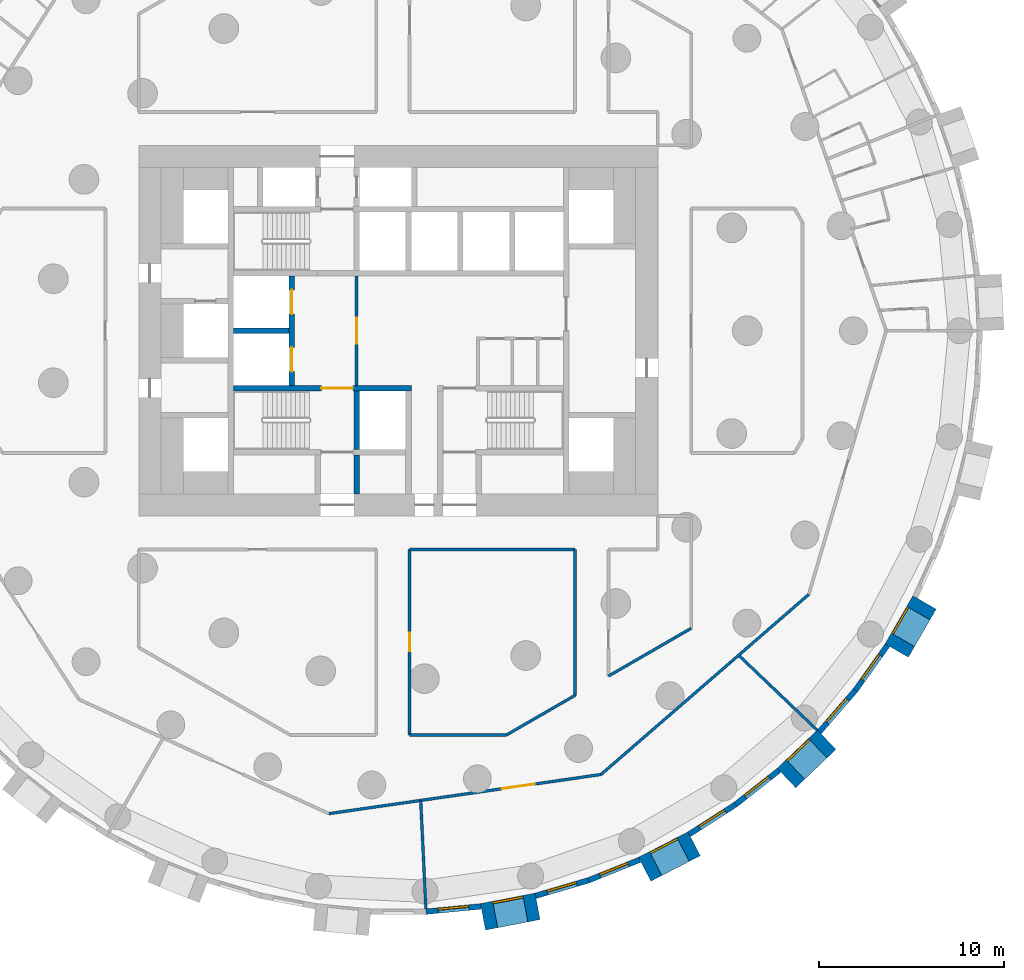
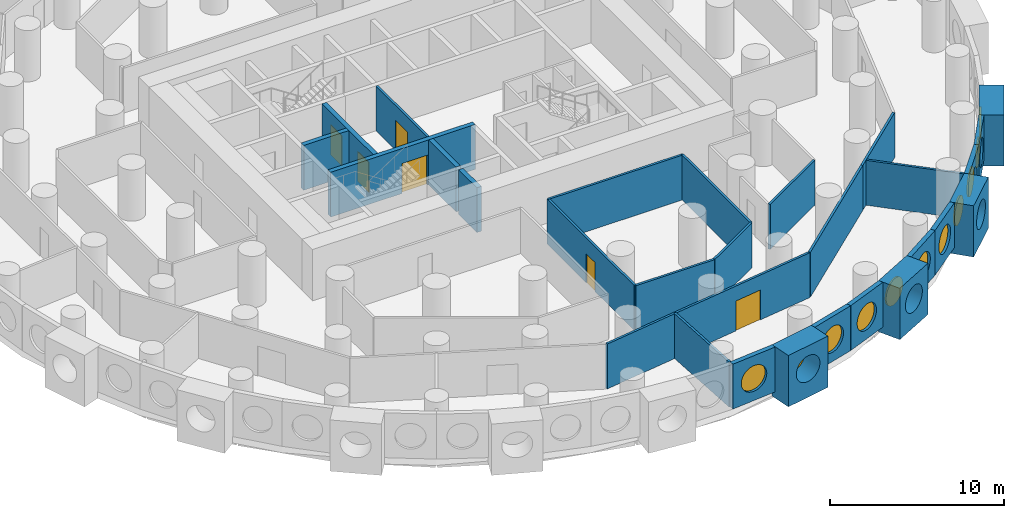
# One storey, part 4 of 12: 28 walls, 11 windows, 6 doors, 17 openings.
"""IFC4 building model written with IfcOpenShell, lengths in metres."""

import ifcopenshell
import ifcopenshell.guid

model = None  # the IFC model being written
_history = None  # IfcOwnerHistory: only IFC2X3 demands one
_inside = {}  # id of a spatial element -> (the spatial element, [elements in it])
_under = {}  # id of a project, library or spatial element -> (it, [spatial elements below it])
_declared = {}  # id of a project -> (the project, [libraries it declares])
_typed = {}  # id of a type object -> (the type object, [elements of that type])
_made_of = {}  # id of a material, layer set ... -> (it, [elements and type objects made of it])


def new_model(schema):
    """Start an empty IFC model of exactly this schema.

    Asked for "IFC4X3", IfcOpenShell would pick the latest addendum, in which some entities
    have other attributes; the version numbers below select the first issue.
    IFC2X3 requires an IfcOwnerHistory on every rooted entity: one is made here for all.
    """
    global model, _history
    if schema == "IFC4X3":
        model = ifcopenshell.file(schema_version=(4, 3, 0, 0))
    else:
        model = ifcopenshell.file(schema=schema)
    _inside.clear()
    _under.clear()
    _declared.clear()
    _typed.clear()
    _made_of.clear()
    _history = None
    if model.schema == "IFC2X3":
        org = make("IfcOrganization", Name="unknown")
        user = make(
            "IfcPersonAndOrganization",
            ThePerson=make("IfcPerson", FamilyName="unknown"),
            TheOrganization=org,
        )
        app = make(
            "IfcApplication",
            ApplicationDeveloper=org,
            Version="unknown",
            ApplicationFullName="unknown",
            ApplicationIdentifier="unknown",
        )
        _history = make(
            "IfcOwnerHistory",
            OwningUser=user,
            OwningApplication=app,
            ChangeAction="ADDED",
            CreationDate=0,
        )
    return model


def make(cls, **values):
    """One entity of the class cls with the attributes given. An attribute that is None is left unset."""
    return model.create_entity(
        cls, **{name: value for name, value in values.items() if value is not None}
    )


def rooted(cls, **values):
    """An entity with a GlobalId (a new one), such as an element, a storey or a relation."""
    return make(cls, GlobalId=ifcopenshell.guid.new(), OwnerHistory=_history, **values)


def si_unit(unit_type, name, prefix=None):
    """IfcSIUnit, for example si_unit("LENGTHUNIT", "METRE", prefix="MILLI")."""
    return make("IfcSIUnit", UnitType=unit_type, Prefix=prefix, Name=name)


def assignment(units):
    """IfcUnitAssignment: the units of a project."""
    return None if units is None else make("IfcUnitAssignment", Units=units)


def point(xyz):
    """IfcCartesianPoint."""
    return None if xyz is None else make("IfcCartesianPoint", Coordinates=xyz)


def direction(xyz):
    """IfcDirection."""
    return None if xyz is None else make("IfcDirection", DirectionRatios=xyz)


def frame(location, z_axis=None, x_axis=None):
    """IfcAxis2Placement3D, a coordinate frame: its origin and axes. An axis left out is left unset."""
    return make(
        "IfcAxis2Placement3D",
        Location=point(location),
        Axis=direction(z_axis),
        RefDirection=direction(x_axis),
    )


def frame_2d(location, x_axis=None):
    """IfcAxis2Placement2D, a coordinate frame in the plane: its origin and x axis."""
    return make(
        "IfcAxis2Placement2D", Location=point(location), RefDirection=direction(x_axis)
    )


def origin():
    """The frame at (0, 0, 0) with its axes left unset."""
    return frame((0.0, 0.0, 0.0))


def origin_2d():
    """The frame at (0, 0) in the plane with its x axis left unset."""
    return frame_2d((0.0, 0.0))


def place(relative_to, where):
    """IfcLocalPlacement: puts the frame where relative to a parent placement (None: the world)."""
    return make(
        "IfcLocalPlacement", PlacementRelTo=relative_to, RelativePlacement=where
    )


def context(
    kind, dimensions, precision=None, world=None, true_north=None, identifier=None
):
    """IfcGeometricRepresentationContext, for example the 3D "Model" context."""
    return make(
        "IfcGeometricRepresentationContext",
        ContextIdentifier=identifier,
        ContextType=kind,
        CoordinateSpaceDimension=dimensions,
        Precision=precision,
        WorldCoordinateSystem=world,
        TrueNorth=true_north,
    )


def subcontext(parent, identifier, kind, view, scale=None):
    """IfcGeometricRepresentationSubContext, for example "Body" below "Model"."""
    return make(
        "IfcGeometricRepresentationSubContext",
        ContextIdentifier=identifier,
        ContextType=kind,
        ParentContext=parent,
        TargetScale=scale,
        TargetView=view,
    )


def project(units=None, contexts=None):
    """IfcProject with its units and contexts."""
    return rooted(
        "IfcProject",
        Name="project",
        RepresentationContexts=contexts,
        UnitsInContext=assignment(units),
    )


def spatial(cls, under=None, at=None, **own):
    """A site, building, storey or space (cls), placed at a placement, below another one or the project."""
    s = rooted(cls, ObjectPlacement=at, **own)
    if under is not None:
        _under.setdefault(under.id(), (under, []))[1].append(s)
    return s


def profile(cls, at=None, kind="AREA", **sizes):
    """A parametric profile (cls). Its sizes go by their IFC names, for example OverallWidth=200.0."""
    return make(cls, ProfileType=kind, Position=at, **sizes)


def rectangle(**sizes):
    """IfcRectangleProfileDef."""
    return profile("IfcRectangleProfileDef", **sizes)


def circle(**sizes):
    """IfcCircleProfileDef."""
    return profile("IfcCircleProfileDef", **sizes)


def extrude(swept, where, along, depth):
    """IfcExtrudedAreaSolid: the profile swept, set in the frame where, extruded along a direction by depth."""
    return make(
        "IfcExtrudedAreaSolid",
        SweptArea=swept,
        Position=where,
        ExtrudedDirection=direction(along),
        Depth=depth,
    )


def shape(context_of_items, identifier, shape_type, items):
    """IfcShapeRepresentation: the items that make up one representation, for example the "Body"."""
    return make(
        "IfcShapeRepresentation",
        ContextOfItems=context_of_items,
        RepresentationIdentifier=identifier,
        RepresentationType=shape_type,
        Items=items,
    )


def material(Name=None, Category=None):
    """IfcMaterial."""
    return make("IfcMaterial", Name=Name, Category=Category)


def layer(
    of_material, thickness, ventilated=None, Name=None, Category=None, Priority=None
):
    """IfcMaterialLayer: one layer of a wall or slab, of a material (None: an air gap)."""
    return make(
        "IfcMaterialLayer",
        Material=of_material,
        LayerThickness=thickness,
        IsVentilated=ventilated,
        Name=Name,
        Category=Category,
        Priority=Priority,
    )


def layer_set(layers, Name=None):
    """IfcMaterialLayerSet."""
    return make("IfcMaterialLayerSet", MaterialLayers=layers, LayerSetName=Name)


def made_of(thing, what):
    """Note that an element or type object is made of a material, layer set ...; save() writes the relation."""
    if what is not None:
        _made_of.setdefault(what.id(), (what, []))[1].append(thing)
    return thing


def type_object(cls, material=None, **own):
    """A type object (cls), such as IfcWallType, which elements share."""
    return made_of(rooted(cls, **own), material)


def element(
    cls,
    number,
    at=None,
    inside=None,
    cuts=None,
    type_object=None,
    material=None,
    context=None,
    identifier="Body",
    shape_type=None,
    held_by="IfcProductDefinitionShape",
    body=None,
    shapes=None,
    **own,
):
    """One element of the class cls, such as IfcWall. Its Tag is "e" and its number.

    at: its placement. inside: the storey or other place that contains it. cuts: it is an
    opening in that element (IfcRelVoidsElement). A single representation is given by context,
    identifier, shape_type and body (its items); several are given by shapes. held_by: the class
    of the entity that holds the representations. save() writes the other relations.
    """
    e = rooted(cls, Tag="e%d" % number, ObjectPlacement=at, **own)
    if body is not None:
        shapes = [shape(context, identifier, shape_type, body)]
    if shapes is not None:
        e.Representation = make(held_by, Representations=shapes)
    if inside is not None:
        _inside.setdefault(inside.id(), (inside, []))[1].append(e)
    if cuts is not None:
        rooted(
            "IfcRelVoidsElement", RelatingBuildingElement=cuts, RelatedOpeningElement=e
        )
    if type_object is not None:
        _typed.setdefault(type_object.id(), (type_object, []))[1].append(e)
    return made_of(e, material)


def fill(opening, filler):
    """IfcRelFillsElement: the door or window that sits in an opening."""
    return rooted(
        "IfcRelFillsElement",
        RelatingOpeningElement=opening,
        RelatedBuildingElement=filler,
    )


def aggregate(whole, parts):
    """IfcRelAggregates: a whole, such as a stair, and the parts it consists of."""
    return rooted("IfcRelAggregates", RelatingObject=whole, RelatedObjects=parts)


def save(model, path):
    """Write the relations noted so far, then the file.

    IfcRelAggregates (storeys below a building ...), IfcRelContainedInSpatialStructure (elements
    in a storey), IfcRelDefinesByType, IfcRelAssociatesMaterial and IfcRelDeclares: one each for
    every whole, place, type object, material and project.
    """
    for whole, parts in _under.values():
        aggregate(whole, parts)
    for where, things in _inside.values():
        rooted(
            "IfcRelContainedInSpatialStructure",
            RelatedElements=things,
            RelatingStructure=where,
        )
    for kind, things in _typed.values():
        rooted("IfcRelDefinesByType", RelatedObjects=things, RelatingType=kind)
    for what, things in _made_of.values():
        rooted("IfcRelAssociatesMaterial", RelatedObjects=things, RelatingMaterial=what)
    for by, libraries in _declared.values():
        rooted("IfcRelDeclares", RelatingContext=by, RelatedDefinitions=libraries)
    model.write(path)


model = new_model("IFC4")

# Units and contexts
model_context = context("Model", 3, precision=1e-05, world=origin(), true_north=direction((0.0, 1.0)))
body_context = subcontext(model_context, "Body", "Model", "MODEL_VIEW")
ifc_project = project(units=[si_unit("LENGTHUNIT", "METRE"), si_unit("AREAUNIT", "SQUARE_METRE"), si_unit("VOLUMEUNIT", "CUBIC_METRE"), si_unit("PLANEANGLEUNIT", "RADIAN"), si_unit("MASSUNIT", "GRAM", prefix="KILO")], contexts=[model_context])

# Site, building, storey
site_placement = place(None, origin())
site = spatial("IfcSite", under=ifc_project, at=site_placement, CompositionType="ELEMENT")
building_placement = place(site_placement, origin())
building = spatial("IfcBuilding", under=site, at=building_placement, Name="Tracery Tower", CompositionType="ELEMENT")
storey_placement = place(building_placement, frame((0.0, 0.0, 39.0)))
storey = spatial("IfcBuildingStorey", under=building, at=storey_placement, Name="L08", CompositionType="ELEMENT", Elevation=39.0)

# Wall, opening, door
ifc_material_1 = material(Name="Plasterboard on steel studs", Category="steel")
ifc_layer_1 = layer(ifc_material_1, 0.14990234375)
ifc_layer_set_1 = layer_set([ifc_layer_1], Name="Core lobby partition 150")
wall_type_1 = type_object("IfcWallType", Name="Core lobby partition 150", PredefinedType="SOLIDWALL", material=ifc_layer_set_1)
wall_1_placement = place(storey_placement, frame((-2.25, -2.949951171875, 0.0), z_axis=(0.0, 0.0, 1.0), x_axis=(0.0, 1.0, 0.0)))
wall_1 = element("IfcWall", 1, at=wall_1_placement, inside=storey, type_object=wall_type_1, Name="L08 FF lobby E", PredefinedType="SOLIDWALL", context=body_context, shape_type="SweptSolid", body=[
    extrude(rectangle(XDim=5.89990234375, YDim=0.14990234375, at=frame_2d((2.949951171875, 0.0))), origin(), (0.0, 0.0, 1.0), 3.14990234375),
])
opening_1_placement = place(wall_1_placement, frame((2.25, 0.0, 0.0)))
opening_1 = element("IfcOpeningElement", 2, at=opening_1_placement, cuts=wall_1, Name="Opening KD8", PredefinedType="OPENING", context=body_context, shape_type="SweptSolid", body=[
    extrude(rectangle(XDim=1.39990234375, YDim=2.10009765625, at=frame_2d((0.699951171875, 1.050048828125))), frame((0.0, 0.074951171875, 0.0), z_axis=(0.0, -1.0, 0.0), x_axis=(1.0, 0.0, 0.0)), (0.0, 0.0, 1.0), 0.14990234375),
])
ifc_material_2 = material(Name="Steel fire door", Category="steel")
door_type_1 = type_object("IfcDoorType", Name="Core lobby door 1400 double", OperationType="NOTDEFINED", PredefinedType="DOOR", material=ifc_material_2)
door_1_placement = place(opening_1_placement, origin())
door_1 = element("IfcDoor", 3, at=door_1_placement, inside=storey, type_object=door_type_1, Name="Fire-fighting lobby door", OperationType="DOUBLE_DOOR_SINGLE_SWING", OverallHeight=2.10009765625, OverallWidth=1.39990234375, PredefinedType="DOOR", context=body_context, shape_type="SweptSolid", body=[
    extrude(rectangle(XDim=1.39990234375, YDim=2.10009765625, at=frame_2d((0.699951171875, 1.050048828125))), frame((0.0, 0.02490234375, 0.0), z_axis=(0.0, -1.0, 0.0), x_axis=(1.0, 0.0, 0.0)), (0.0, 0.0, 1.0), 0.050048828125),
])
fill(opening_1, door_1)

# Wall, opening, window
ifc_material_3 = material(Name="Precast concrete C50/60", Category="concrete")
ifc_layer_2 = layer(ifc_material_3, 1.449951171875)
ifc_layer_set_2 = layer_set([ifc_layer_2], Name="Deep-set bay unit 3000 x 3600, slab edge 450")
wall_type_2 = type_object("IfcWallType", Name="Deep-set bay unit 3000 x 3600, slab edge 450", PredefinedType="ELEMENTEDWALL", material=ifc_layer_set_2)
wall_2_placement = place(storey_placement, frame((4.56689453125, -31.62109375, -0.449951171875), z_axis=(0.0, 0.0, 1.0), x_axis=(0.981921602273, 0.189288052949, 0.0)))
wall_2 = element("IfcWall", 4, at=wall_2_placement, inside=storey, type_object=wall_type_2, Name="Deep-set bay unit 52 at L08", PredefinedType="ELEMENTEDWALL", context=body_context, shape_type="SweptSolid", body=[
    extrude(rectangle(XDim=3.0, YDim=1.449951171875, at=frame_2d((1.5, 0.0))), origin(), (0.0, 0.0, 1.0), 3.599853515625),
])
opening_2_placement = place(wall_2_placement, frame((1.5, 0.0, 2.0)))
opening_2 = element("IfcOpeningElement", 5, at=opening_2_placement, cuts=wall_2, Name="Opening WN1", PredefinedType="OPENING", context=body_context, shape_type="SweptSolid", body=[
    extrude(circle(Radius=0.9000244140625, at=origin_2d()), frame((0.0, 0.73486328125, 0.0), z_axis=(0.0, -1.0, 0.0), x_axis=(1.0, 0.0, 0.0)), (0.0, 0.0, 1.0), 1.469970703125),
])
ifc_material_4 = material(Name="Aluminium frame with tinted double glazing", Category="aluminium")
window_type = type_object("IfcWindowType", Name="Round window 1800", PartitioningType="SINGLE_PANEL", PredefinedType="WINDOW", material=ifc_material_4)
window_1_placement = place(opening_2_placement, origin())
window_1 = element("IfcWindow", 6, at=window_1_placement, inside=storey, type_object=window_type, Name="Round window 52 at L08", OverallHeight=1.800048828125, OverallWidth=1.800048828125, PartitioningType="SINGLE_PANEL", PredefinedType="WINDOW", context=body_context, shape_type="SweptSolid", body=[
    extrude(circle(Radius=0.9000244140625, at=origin_2d()), frame((0.0, 0.69482421875, 0.0), z_axis=(0.0, -1.0, 0.0), x_axis=(1.0, 0.0, 0.0)), (0.0, 0.0, 1.0), 0.10009765625),
])
fill(opening_2, window_1)

wall_3_placement = place(storey_placement, frame((13.29052734375, -29.053466796875, -0.449951171875), z_axis=(0.0, 0.0, 1.0), x_axis=(0.888858064689, 0.458182650083, 0.0)))
wall_3 = element("IfcWall", 7, at=wall_3_placement, inside=storey, type_object=wall_type_2, Name="Deep-set bay unit 55 at L08", PredefinedType="ELEMENTEDWALL", context=body_context, shape_type="SweptSolid", body=[
    extrude(rectangle(XDim=3.0, YDim=1.449951171875, at=frame_2d((1.5, 0.0))), origin(), (0.0, 0.0, 1.0), 3.599853515625),
])
opening_3_placement = place(wall_3_placement, frame((1.5, 0.0, 2.0)))
opening_3 = element("IfcOpeningElement", 8, at=opening_3_placement, cuts=wall_3, Name="Opening WN1", PredefinedType="OPENING", context=body_context, shape_type="SweptSolid", body=[
    extrude(circle(Radius=0.9000244140625, at=origin_2d()), frame((0.0, 0.73486328125, 0.0), z_axis=(0.0, -1.0, 0.0), x_axis=(1.0, 0.0, 0.0)), (0.0, 0.0, 1.0), 1.469970703125),
])
window_2_placement = place(opening_3_placement, origin())
window_2 = element("IfcWindow", 9, at=window_2_placement, inside=storey, type_object=window_type, Name="Round window 55 at L08", OverallHeight=1.800048828125, OverallWidth=1.800048828125, PartitioningType="SINGLE_PANEL", PredefinedType="WINDOW", context=body_context, shape_type="SweptSolid", body=[
    extrude(circle(Radius=0.9000244140625, at=origin_2d()), frame((0.0, 0.69482421875, 0.0), z_axis=(0.0, -1.0, 0.0), x_axis=(1.0, 0.0, 0.0)), (0.0, 0.0, 1.0), 0.10009765625),
])
fill(opening_3, window_2)

wall_4_placement = place(storey_placement, frame((20.9375, -24.13232421875, -0.449951171875), z_axis=(0.0, 0.0, 1.0), x_axis=(0.723712023899, 0.690102098579, 0.0)))
wall_4 = element("IfcWall", 10, at=wall_4_placement, inside=storey, type_object=wall_type_2, Name="Deep-set bay unit 58 at L08", PredefinedType="ELEMENTEDWALL", context=body_context, shape_type="SweptSolid", body=[
    extrude(rectangle(XDim=3.0, YDim=1.449951171875, at=frame_2d((1.5, 0.0))), origin(), (0.0, 0.0, 1.0), 3.599853515625),
])
opening_4_placement = place(wall_4_placement, frame((1.5, 0.0, 2.0)))
opening_4 = element("IfcOpeningElement", 11, at=opening_4_placement, cuts=wall_4, Name="Opening WN1", PredefinedType="OPENING", context=body_context, shape_type="SweptSolid", body=[
    extrude(circle(Radius=0.9000244140625, at=origin_2d()), frame((0.0, 0.73486328125, 0.0), z_axis=(0.0, -1.0, 0.0), x_axis=(1.0, 0.0, 0.0)), (0.0, 0.0, 1.0), 1.469970703125),
])
window_3_placement = place(opening_4_placement, origin())
window_3 = element("IfcWindow", 12, at=window_3_placement, inside=storey, type_object=window_type, Name="Round window 58 at L08", OverallHeight=1.800048828125, OverallWidth=1.800048828125, PartitioningType="SINGLE_PANEL", PredefinedType="WINDOW", context=body_context, shape_type="SweptSolid", body=[
    extrude(circle(Radius=0.9000244140625, at=origin_2d()), frame((0.0, 0.69482421875, 0.0), z_axis=(0.0, -1.0, 0.0), x_axis=(1.0, 0.0, 0.0)), (0.0, 0.0, 1.0), 0.10009765625),
])
fill(opening_4, window_3)

wall_5_placement = place(storey_placement, frame((26.88818359375, -17.256103515625, -0.449951171875), z_axis=(0.0, 0.0, 1.0), x_axis=(0.499990139034, 0.866031096941, 0.0)))
wall_5 = element("IfcWall", 13, at=wall_5_placement, inside=storey, type_object=wall_type_2, Name="Deep-set bay unit 61 at L08", PredefinedType="ELEMENTEDWALL", context=body_context, shape_type="SweptSolid", body=[
    extrude(rectangle(XDim=3.0, YDim=1.449951171875, at=frame_2d((1.5, 0.0))), origin(), (0.0, 0.0, 1.0), 3.599853515625),
])
opening_5_placement = place(wall_5_placement, frame((1.5, 0.0, 2.0)))
opening_5 = element("IfcOpeningElement", 14, at=opening_5_placement, cuts=wall_5, Name="Opening WN1", PredefinedType="OPENING", context=body_context, shape_type="SweptSolid", body=[
    extrude(circle(Radius=0.9000244140625, at=origin_2d()), frame((0.0, 0.73486328125, 0.0), z_axis=(0.0, -1.0, 0.0), x_axis=(1.0, 0.0, 0.0)), (0.0, 0.0, 1.0), 1.469970703125),
])
window_4_placement = place(opening_5_placement, origin())
window_4 = element("IfcWindow", 15, at=window_4_placement, inside=storey, type_object=window_type, Name="Round window 61 at L08", OverallHeight=1.800048828125, OverallWidth=1.800048828125, PartitioningType="SINGLE_PANEL", PredefinedType="WINDOW", context=body_context, shape_type="SweptSolid", body=[
    extrude(circle(Radius=0.9000244140625, at=origin_2d()), frame((0.0, 0.69482421875, 0.0), z_axis=(0.0, -1.0, 0.0), x_axis=(1.0, 0.0, 0.0)), (0.0, 0.0, 1.0), 0.10009765625),
])
fill(opening_5, window_4)

ifc_material_5 = material(Name="Precast concrete C50/60", Category="concrete")
ifc_layer_3 = layer(ifc_material_5, 0.300048828125)
ifc_layer_set_3 = layer_set([ifc_layer_3], Name="Facade panel 3000 x 3150")
wall_type_3 = type_object("IfcWallType", Name="Facade panel 3000 x 3150", PredefinedType="SOLIDWALL", material=ifc_layer_set_3)
wall_6_placement = place(storey_placement, frame((1.492919921875, -31.3388671875, 0.0), z_axis=(0.0, 0.0, 1.0), x_axis=(0.995472611385, 0.095048829468, 0.0)))
wall_6 = element("IfcWall", 16, at=wall_6_placement, inside=storey, type_object=wall_type_3, Name="Facade panel 51 at L08", PredefinedType="SOLIDWALL", context=body_context, shape_type="SweptSolid", body=[
    extrude(rectangle(XDim=2.9794921875, YDim=0.300048828125, at=frame_2d((1.48974609375, 0.0))), origin(), (0.0, 0.0, 1.0), 3.14990234375),
])
opening_6_placement = place(wall_6_placement, frame((1.48974609375, 0.0, 1.5498046875)))
opening_6 = element("IfcOpeningElement", 17, at=opening_6_placement, cuts=wall_6, Name="Opening WN1", PredefinedType="OPENING", context=body_context, shape_type="SweptSolid", body=[
    extrude(circle(Radius=0.9000244140625, at=origin_2d()), frame((0.0, 0.159912109375, 0.0), z_axis=(0.0, -1.0, 0.0), x_axis=(1.0, 0.0, 0.0)), (0.0, 0.0, 1.0), 0.320068359375),
])
window_5_placement = place(opening_6_placement, origin())
window_5 = element("IfcWindow", 18, at=window_5_placement, inside=storey, type_object=window_type, Name="Round window 51 at L08", OverallHeight=1.800048828125, OverallWidth=1.800048828125, PartitioningType="SINGLE_PANEL", PredefinedType="WINDOW", context=body_context, shape_type="SweptSolid", body=[
    extrude(circle(Radius=0.9000244140625, at=origin_2d()), frame((0.0, 0.1201171875, 0.0), z_axis=(0.0, -1.0, 0.0), x_axis=(1.0, 0.0, 0.0)), (0.0, 0.0, 1.0), 0.10009765625),
])
fill(opening_6, window_5)

wall_7_placement = place(storey_placement, frame((7.402587890625, -30.48828125, 0.0), z_axis=(0.0, 0.0, 1.0), x_axis=(0.959501085144, 0.281704930036, 0.0)))
wall_7 = element("IfcWall", 19, at=wall_7_placement, inside=storey, type_object=wall_type_3, Name="Facade panel 53 at L08", PredefinedType="SOLIDWALL", context=body_context, shape_type="SweptSolid", body=[
    extrude(rectangle(XDim=2.9794921875, YDim=0.300048828125, at=frame_2d((1.48974609375, 0.0))), origin(), (0.0, 0.0, 1.0), 3.14990234375),
])
opening_7_placement = place(wall_7_placement, frame((1.48974609375, 0.0, 1.5498046875)))
opening_7 = element("IfcOpeningElement", 20, at=opening_7_placement, cuts=wall_7, Name="Opening WN1", PredefinedType="OPENING", context=body_context, shape_type="SweptSolid", body=[
    extrude(circle(Radius=0.9000244140625, at=origin_2d()), frame((0.0, 0.159912109375, 0.0), z_axis=(0.0, -1.0, 0.0), x_axis=(1.0, 0.0, 0.0)), (0.0, 0.0, 1.0), 0.320068359375),
])
window_6_placement = place(opening_7_placement, origin())
window_6 = element("IfcWindow", 21, at=window_6_placement, inside=storey, type_object=window_type, Name="Round window 53 at L08", OverallHeight=1.800048828125, OverallWidth=1.800048828125, PartitioningType="SINGLE_PANEL", PredefinedType="WINDOW", context=body_context, shape_type="SweptSolid", body=[
    extrude(circle(Radius=0.9000244140625, at=origin_2d()), frame((0.0, 0.1201171875, 0.0), z_axis=(0.0, -1.0, 0.0), x_axis=(1.0, 0.0, 0.0)), (0.0, 0.0, 1.0), 0.10009765625),
])
fill(opening_7, window_6)

wall_8_placement = place(storey_placement, frame((10.261474609375, -29.64892578125, 0.0), z_axis=(0.0, 0.0, 1.0), x_axis=(0.928374947, 0.371644935098, 0.0)))
wall_8 = element("IfcWall", 22, at=wall_8_placement, inside=storey, type_object=wall_type_3, Name="Facade panel 54 at L08", PredefinedType="SOLIDWALL", context=body_context, shape_type="SweptSolid", body=[
    extrude(rectangle(XDim=2.979736328125, YDim=0.300048828125, at=frame_2d((1.48974609375, 0.0))), origin(), (0.0, 0.0, 1.0), 3.14990234375),
])
opening_8_placement = place(wall_8_placement, frame((1.48974609375, 0.0, 1.5498046875)))
opening_8 = element("IfcOpeningElement", 23, at=opening_8_placement, cuts=wall_8, Name="Opening WN1", PredefinedType="OPENING", context=body_context, shape_type="SweptSolid", body=[
    extrude(circle(Radius=0.9000244140625, at=origin_2d()), frame((0.0, 0.159912109375, 0.0), z_axis=(0.0, -1.0, 0.0), x_axis=(1.0, 0.0, 0.0)), (0.0, 0.0, 1.0), 0.320068359375),
])
window_7_placement = place(opening_8_placement, origin())
window_7 = element("IfcWindow", 24, at=window_7_placement, inside=storey, type_object=window_type, Name="Round window 54 at L08", OverallHeight=1.800048828125, OverallWidth=1.800048828125, PartitioningType="SINGLE_PANEL", PredefinedType="WINDOW", context=body_context, shape_type="SweptSolid", body=[
    extrude(circle(Radius=0.9000244140625, at=origin_2d()), frame((0.0, 0.1201171875, 0.0), z_axis=(0.0, -1.0, 0.0), x_axis=(1.0, 0.0, 0.0)), (0.0, 0.0, 1.0), 0.10009765625),
])
fill(opening_8, window_7)

wall_9_placement = place(storey_placement, frame((15.6923828125, -27.167724609375, 0.0), z_axis=(0.0, 0.0, 1.0), x_axis=(0.841260995538, 0.54062920508, 0.0)))
wall_9 = element("IfcWall", 25, at=wall_9_placement, inside=storey, type_object=wall_type_3, Name="Facade panel 56 at L08", PredefinedType="SOLIDWALL", context=body_context, shape_type="SweptSolid", body=[
    extrude(rectangle(XDim=2.9794921875, YDim=0.300048828125, at=frame_2d((1.48974609375, 0.0))), origin(), (0.0, 0.0, 1.0), 3.14990234375),
])
opening_9_placement = place(wall_9_placement, frame((1.48974609375, 0.0, 1.5498046875)))
opening_9 = element("IfcOpeningElement", 26, at=opening_9_placement, cuts=wall_9, Name="Opening WN1", PredefinedType="OPENING", context=body_context, shape_type="SweptSolid", body=[
    extrude(circle(Radius=0.9000244140625, at=origin_2d()), frame((0.0, 0.159912109375, 0.0), z_axis=(0.0, -1.0, 0.0), x_axis=(1.0, 0.0, 0.0)), (0.0, 0.0, 1.0), 0.320068359375),
])
window_8_placement = place(opening_9_placement, origin())
window_8 = element("IfcWindow", 27, at=window_8_placement, inside=storey, type_object=window_type, Name="Round window 56 at L08", OverallHeight=1.800048828125, OverallWidth=1.800048828125, PartitioningType="SINGLE_PANEL", PredefinedType="WINDOW", context=body_context, shape_type="SweptSolid", body=[
    extrude(circle(Radius=0.9000244140625, at=origin_2d()), frame((0.0, 0.1201171875, 0.0), z_axis=(0.0, -1.0, 0.0), x_axis=(1.0, 0.0, 0.0)), (0.0, 0.0, 1.0), 0.10009765625),
])
fill(opening_9, window_8)

wall_10_placement = place(storey_placement, frame((18.198974609375, -25.556884765625, 0.0), z_axis=(0.0, 0.0, 1.0), x_axis=(0.786053834673, 0.618158045322, 0.0)))
wall_10 = element("IfcWall", 28, at=wall_10_placement, inside=storey, type_object=wall_type_3, Name="Facade panel 57 at L08", PredefinedType="SOLIDWALL", context=body_context, shape_type="SweptSolid", body=[
    extrude(rectangle(XDim=2.9794921875, YDim=0.300048828125, at=frame_2d((1.48974609375, 0.0))), origin(), (0.0, 0.0, 1.0), 3.14990234375),
])
opening_10_placement = place(wall_10_placement, frame((1.48974609375, 0.0, 1.5498046875)))
opening_10 = element("IfcOpeningElement", 29, at=opening_10_placement, cuts=wall_10, Name="Opening WN1", PredefinedType="OPENING", context=body_context, shape_type="SweptSolid", body=[
    extrude(circle(Radius=0.9000244140625, at=origin_2d()), frame((0.0, 0.159912109375, 0.0), z_axis=(0.0, -1.0, 0.0), x_axis=(1.0, 0.0, 0.0)), (0.0, 0.0, 1.0), 0.320068359375),
])
window_9_placement = place(opening_10_placement, origin())
window_9 = element("IfcWindow", 30, at=window_9_placement, inside=storey, type_object=window_type, Name="Round window 57 at L08", OverallHeight=1.800048828125, OverallWidth=1.800048828125, PartitioningType="SINGLE_PANEL", PredefinedType="WINDOW", context=body_context, shape_type="SweptSolid", body=[
    extrude(circle(Radius=0.9000244140625, at=origin_2d()), frame((0.0, 0.1201171875, 0.0), z_axis=(0.0, -1.0, 0.0), x_axis=(1.0, 0.0, 0.0)), (0.0, 0.0, 1.0), 0.10009765625),
])
fill(opening_10, window_9)

wall_11_placement = place(storey_placement, frame((22.710693359375, -21.646240234375, 0.0), z_axis=(0.0, 0.0, 1.0), x_axis=(0.654830712471, 0.755775587066, 0.0)))
wall_11 = element("IfcWall", 31, at=wall_11_placement, inside=storey, type_object=wall_type_3, Name="Facade panel 59 at L08", PredefinedType="SOLIDWALL", context=body_context, shape_type="SweptSolid", body=[
    extrude(rectangle(XDim=2.979736328125, YDim=0.300048828125, at=frame_2d((1.48974609375, 0.0))), origin(), (0.0, 0.0, 1.0), 3.14990234375),
])
opening_11_placement = place(wall_11_placement, frame((1.48974609375, 0.0, 1.5498046875)))
opening_11 = element("IfcOpeningElement", 32, at=opening_11_placement, cuts=wall_11, Name="Opening WN1", PredefinedType="OPENING", context=body_context, shape_type="SweptSolid", body=[
    extrude(circle(Radius=0.9000244140625, at=origin_2d()), frame((0.0, 0.159912109375, 0.0), z_axis=(0.0, -1.0, 0.0), x_axis=(1.0, 0.0, 0.0)), (0.0, 0.0, 1.0), 0.320068359375),
])
window_10_placement = place(opening_11_placement, origin())
window_10 = element("IfcWindow", 33, at=window_10_placement, inside=storey, type_object=window_type, Name="Round window 59 at L08", OverallHeight=1.800048828125, OverallWidth=1.800048828125, PartitioningType="SINGLE_PANEL", PredefinedType="WINDOW", context=body_context, shape_type="SweptSolid", body=[
    extrude(circle(Radius=0.9000244140625, at=origin_2d()), frame((0.0, 0.1201171875, 0.0), z_axis=(0.0, -1.0, 0.0), x_axis=(1.0, 0.0, 0.0)), (0.0, 0.0, 1.0), 0.10009765625),
])
fill(opening_11, window_10)

wall_12_placement = place(storey_placement, frame((24.661865234375, -19.394287109375, 0.0), z_axis=(0.0, 0.0, 1.0), x_axis=(0.580113774115, 0.814535456, 0.0)))
wall_12 = element("IfcWall", 34, at=wall_12_placement, inside=storey, type_object=wall_type_3, Name="Facade panel 60 at L08", PredefinedType="SOLIDWALL", context=body_context, shape_type="SweptSolid", body=[
    extrude(rectangle(XDim=2.979736328125, YDim=0.300048828125, at=frame_2d((1.48974609375, 0.0))), origin(), (0.0, 0.0, 1.0), 3.14990234375),
])
opening_12_placement = place(wall_12_placement, frame((1.48974609375, 0.0, 1.5498046875)))
opening_12 = element("IfcOpeningElement", 35, at=opening_12_placement, cuts=wall_12, Name="Opening WN1", PredefinedType="OPENING", context=body_context, shape_type="SweptSolid", body=[
    extrude(circle(Radius=0.9000244140625, at=origin_2d()), frame((0.0, 0.159912109375, 0.0), z_axis=(0.0, -1.0, 0.0), x_axis=(1.0, 0.0, 0.0)), (0.0, 0.0, 1.0), 0.320068359375),
])
window_11_placement = place(opening_12_placement, origin())
window_11 = element("IfcWindow", 36, at=window_11_placement, inside=storey, type_object=window_type, Name="Round window 60 at L08", OverallHeight=1.800048828125, OverallWidth=1.800048828125, PartitioningType="SINGLE_PANEL", PredefinedType="WINDOW", context=body_context, shape_type="SweptSolid", body=[
    extrude(circle(Radius=0.9000244140625, at=origin_2d()), frame((0.0, 0.1201171875, 0.0), z_axis=(0.0, -1.0, 0.0), x_axis=(1.0, 0.0, 0.0)), (0.0, 0.0, 1.0), 0.10009765625),
])
fill(opening_12, window_11)

# Walls
ifc_material_6 = material(Name="Plasterboard on steel studs", Category="steel")
ifc_layer_4 = layer(ifc_material_6, 0.14990234375)
ifc_layer_set_4 = layer_set([ifc_layer_4], Name="Partition 150 acoustic unit wall")
wall_type_4 = type_object("IfcWallType", Name="Partition 150 acoustic unit wall", PredefinedType="PARTITIONING", material=ifc_layer_set_4)
for number, where, z_axis, x_axis, name in (
    (37, (1.20703125, -25.339111328125, 0.0), (0.0, 0.0, 1.0), (0.047648334785, -0.998864173045, 0.0), "Unit wall RA2-121"),
    (38, (18.35888671875, -17.506103515625, 0.0), (0.0, 0.0, 1.0), (0.723808715798, -0.690000683286, 0.0), "Unit wall RA2-122"),
):
    element("IfcWall", number, at=place(storey_placement, frame(where, z_axis=z_axis, x_axis=x_axis)), inside=storey, type_object=wall_type_4, Name=name, PredefinedType="PARTITIONING", context=body_context, shape_type="SweptSolid", body=[
        extrude(rectangle(XDim=5.8564453125, YDim=0.14990234375, at=frame_2d((2.92822265625, 0.0))), origin(), (0.0, 0.0, 1.0), 3.14990234375),
    ])
ifc_material_7 = material(Name="Plasterboard on steel studs", Category="steel")
ifc_layer_5 = layer(ifc_material_7, 0.14990234375)
ifc_layer_set_5 = layer_set([ifc_layer_5], Name="Partition 150 corridor wall")
wall_type_5 = type_object("IfcWallType", Name="Partition 150 corridor wall", PredefinedType="PARTITIONING", material=ifc_layer_set_5)
wall_13_placement = place(storey_placement, frame((0.60400390625, -11.800048828125, 0.0), z_axis=(0.0, 0.0, 1.0), x_axis=(1.0, 0.0, 0.0)))
element("IfcWall", 39, at=wall_13_placement, inside=storey, type_object=wall_type_5, Name="Corridor wall RA2-006", PredefinedType="PARTITIONING", context=body_context, shape_type="SweptSolid", body=[
    extrude(rectangle(XDim=8.93603515625, YDim=0.14990234375, at=frame_2d((4.468017578125, 0.0))), origin(), (0.0, 0.0, 1.0), 3.14990234375),
])
wall_14_placement = place(storey_placement, frame((17.902099609375, -17.902099609375, 0.0), z_axis=(0.0, 0.0, 1.0), x_axis=(0.755408961329, 0.655253615895, 0.0)))
element("IfcWall", 40, at=wall_14_placement, inside=storey, type_object=wall_type_5, Name="Corridor wall RA2-022", PredefinedType="PARTITIONING", context=body_context, shape_type="SweptSolid", body=[
    extrude(rectangle(XDim=5.60888671875, YDim=0.14990234375, at=frame_2d((2.804443359375, 0.0))), origin(), (0.0, 0.0, 1.0), 3.14990234375),
])

# Wall, opening, door
wall_15_placement = place(storey_placement, frame((0.60791015625, -21.802001953125, 0.0), z_axis=(0.0, 0.0, 1.0), x_axis=(0.0, 1.0, 0.0)))
wall_15 = element("IfcWall", 41, at=wall_15_placement, inside=storey, type_object=wall_type_5, Name="Corridor wall RA2-049", PredefinedType="PARTITIONING", context=body_context, shape_type="SweptSolid", body=[
    extrude(rectangle(XDim=10.001953125, YDim=0.14990234375, at=frame_2d((5.0009765625, 0.0))), origin(), (0.0, 0.0, 1.0), 3.14990234375),
])
opening_13_placement = place(wall_15_placement, frame((4.5009765625, 0.0, 0.0)))
opening_13 = element("IfcOpeningElement", 42, at=opening_13_placement, cuts=wall_15, Name="Opening RA2-05", PredefinedType="OPENING", context=body_context, shape_type="SweptSolid", body=[
    extrude(rectangle(XDim=1.0, YDim=2.0400390625, at=frame_2d((0.5, 1.02001953125))), frame((0.0, 0.074951171875, 0.0), z_axis=(0.0, -1.0, 0.0), x_axis=(1.0, 0.0, 0.0)), (0.0, 0.0, 1.0), 0.14990234375),
])
ifc_material_8 = material(Name="Timber door leaf", Category="wood")
door_type_2 = type_object("IfcDoorType", Name="Door communal room 1000", OperationType="NOTDEFINED", PredefinedType="DOOR", material=ifc_material_8)
door_2_placement = place(opening_13_placement, origin())
door_2 = element("IfcDoor", 43, at=door_2_placement, inside=storey, type_object=door_type_2, Name="Communal room door RA2-05", OperationType="SINGLE_SWING_RIGHT", OverallHeight=2.0400390625, OverallWidth=1.0, PredefinedType="DOOR", context=body_context, shape_type="SweptSolid", body=[
    extrude(rectangle(XDim=1.0, YDim=2.0400390625, at=frame_2d((0.5, 1.02001953125))), frame((0.0, 0.02490234375, 0.0), z_axis=(0.0, -1.0, 0.0), x_axis=(1.0, 0.0, 0.0)), (0.0, 0.0, 1.0), 0.050048828125),
])
fill(opening_13, door_2)

# Walls
wall_16_placement = place(storey_placement, frame((0.60791015625, -21.802001953125, 0.0), z_axis=(0.0, 0.0, 1.0), x_axis=(1.0, 0.0, 0.0)))
element("IfcWall", 44, at=wall_16_placement, inside=storey, type_object=wall_type_5, Name="Corridor wall RA2-050", PredefinedType="PARTITIONING", context=body_context, shape_type="SweptSolid", body=[
    extrude(rectangle(XDim=5.234130859375, YDim=0.14990234375, at=frame_2d((2.6171875, 0.0))), origin(), (0.0, 0.0, 1.0), 3.14990234375),
])
wall_17_placement = place(storey_placement, frame((5.842041015625, -21.802001953125, 0.0), z_axis=(0.0, 0.0, 1.0), x_axis=(0.865983505205, 0.500072563448, 0.0)))
element("IfcWall", 45, at=wall_17_placement, inside=storey, type_object=wall_type_5, Name="Corridor wall RA2-051", PredefinedType="PARTITIONING", context=body_context, shape_type="SweptSolid", body=[
    extrude(rectangle(XDim=4.265380859375, YDim=0.14990234375, at=frame_2d((2.1328125, 0.0))), origin(), (0.0, 0.0, 1.0), 3.14990234375),
])
wall_18_placement = place(storey_placement, frame((9.535888671875, -19.6689453125, 0.0), z_axis=(0.0, 0.0, 1.0), x_axis=(0.0, 1.0, 0.0)))
element("IfcWall", 46, at=wall_18_placement, inside=storey, type_object=wall_type_5, Name="Corridor wall RA2-052", PredefinedType="PARTITIONING", context=body_context, shape_type="SweptSolid", body=[
    extrude(rectangle(XDim=7.868896484375, YDim=0.14990234375, at=frame_2d((3.9345703125, 0.0))), origin(), (0.0, 0.0, 1.0), 3.14990234375),
])
wall_19_placement = place(storey_placement, frame((11.3359375, -18.6298828125, 0.0), z_axis=(0.0, 0.0, 1.0), x_axis=(0.866063337164, 0.499934291702, 0.0)))
element("IfcWall", 47, at=wall_19_placement, inside=storey, type_object=wall_type_5, Name="Corridor wall RA2-054", PredefinedType="PARTITIONING", context=body_context, shape_type="SweptSolid", body=[
    extrude(rectangle(XDim=5.154541015625, YDim=0.14990234375, at=frame_2d((2.5771484375, 0.0))), origin(), (0.0, 0.0, 1.0), 3.14990234375),
])

# Wall, opening, door
wall_20_placement = place(storey_placement, frame((-3.74609375, -26.051025390625, 0.0), z_axis=(0.0, 0.0, 1.0), x_axis=(0.9898137179, 0.142368549395, 0.0)))
wall_20 = element("IfcWall", 48, at=wall_20_placement, inside=storey, type_object=wall_type_5, Name="Corridor wall RA2-056", PredefinedType="PARTITIONING", context=body_context, shape_type="SweptSolid", body=[
    extrude(rectangle(XDim=14.830078125, YDim=0.14990234375, at=frame_2d((7.4150390625, 0.0))), origin(), (0.0, 0.0, 1.0), 3.14990234375),
])
opening_14_placement = place(wall_20_placement, frame((9.4150390625, 0.0, 0.0)))
opening_14 = element("IfcOpeningElement", 49, at=opening_14_placement, cuts=wall_20, Name="Opening RA2-49", PredefinedType="OPENING", context=body_context, shape_type="SweptSolid", body=[
    extrude(rectangle(XDim=1.800048828125, YDim=2.10009765625, at=frame_2d((0.89990234375, 1.050048828125))), frame((0.0, 0.074951171875, 0.0), z_axis=(0.0, -1.0, 0.0), x_axis=(1.0, 0.0, 0.0)), (0.0, 0.0, 1.0), 0.14990234375),
])
ifc_material_9 = material(Name="Timber door leaf", Category="wood")
door_type_3 = type_object("IfcDoorType", Name="Door double lounge 1800", OperationType="NOTDEFINED", PredefinedType="DOOR", material=ifc_material_9)
door_3_placement = place(opening_14_placement, origin())
door_3 = element("IfcDoor", 50, at=door_3_placement, inside=storey, type_object=door_type_3, Name="Double lounge door RA2-49", OperationType="DOUBLE_DOOR_SINGLE_SWING", OverallHeight=2.10009765625, OverallWidth=1.800048828125, PredefinedType="DOOR", context=body_context, shape_type="SweptSolid", body=[
    extrude(rectangle(XDim=1.800048828125, YDim=2.10009765625, at=frame_2d((0.89990234375, 1.050048828125))), frame((0.0, 0.02490234375, 0.0), z_axis=(0.0, -1.0, 0.0), x_axis=(1.0, 0.0, 0.0)), (0.0, 0.0, 1.0), 0.050048828125),
])
fill(opening_14, door_3)

# Walls
wall_21_placement = place(storey_placement, frame((10.93310546875, -23.93994140625, 0.0), z_axis=(0.0, 0.0, 1.0), x_axis=(0.755793907002, 0.654809567843, 0.0)))
element("IfcWall", 51, at=wall_21_placement, inside=storey, type_object=wall_type_5, Name="Corridor wall RA2-057", PredefinedType="PARTITIONING", context=body_context, shape_type="SweptSolid", body=[
    extrude(rectangle(XDim=9.220703125, YDim=0.14990234375, at=frame_2d((4.6103515625, 0.0))), origin(), (0.0, 0.0, 1.0), 3.14990234375),
])
ifc_material_10 = material(Name="Concrete C60/75", Category="concrete")
ifc_layer_6 = layer(ifc_material_10, 0.300048828125)
ifc_layer_set_6 = layer_set([ifc_layer_6], Name="Shaft wall 300 C60")
wall_type_6 = type_object("IfcWallType", Name="Shaft wall 300 C60", PredefinedType="SOLIDWALL", material=ifc_layer_set_6)
wall_22_placement = place(storey_placement, frame((-8.89990234375, 0.0, 0.0), z_axis=(0.0, 0.0, 1.0), x_axis=(1.0, 0.0, 0.0)))
element("IfcWall", 52, at=wall_22_placement, inside=storey, type_object=wall_type_6, Name="L08 FF split", PredefinedType="SOLIDWALL", context=body_context, shape_type="SweptSolid", body=[
    extrude(rectangle(XDim=3.0, YDim=0.300048828125, at=frame_2d((1.5, 0.0))), origin(), (0.0, 0.0, 1.0), 3.14990234375),
])

# Wall, openings, doors
wall_23_placement = place(storey_placement, frame((-5.75, -2.949951171875, 0.0), z_axis=(0.0, 0.0, 1.0), x_axis=(0.0, 1.0, 0.0)))
wall_23 = element("IfcWall", 53, at=wall_23_placement, inside=storey, type_object=wall_type_6, Name="L08 FF doors", PredefinedType="SOLIDWALL", context=body_context, shape_type="SweptSolid", body=[
    extrude(rectangle(XDim=5.89990234375, YDim=0.300048828125, at=frame_2d((2.949951171875, 0.0))), origin(), (0.0, 0.0, 1.0), 3.14990234375),
])
opening_15_placement = place(wall_23_placement, frame((0.75, 0.0, 0.0)))
opening_15 = element("IfcOpeningElement", 54, at=opening_15_placement, cuts=wall_23, Name="Opening KD54", PredefinedType="OPENING", context=body_context, shape_type="SweptSolid", body=[
    extrude(rectangle(XDim=1.300048828125, YDim=2.10009765625, at=frame_2d((0.64990234375, 1.050048828125))), frame((0.0, 0.14990234375, 0.0), z_axis=(0.0, -1.0, 0.0), x_axis=(1.0, 0.0, 0.0)), (0.0, 0.0, 1.0), 0.300048828125),
])
opening_16_placement = place(wall_23_placement, frame((3.85009765625, 0.0, 0.0)))
opening_16 = element("IfcOpeningElement", 55, at=opening_16_placement, cuts=wall_23, Name="Opening KD55", PredefinedType="OPENING", context=body_context, shape_type="SweptSolid", body=[
    extrude(rectangle(XDim=1.300048828125, YDim=2.10009765625, at=frame_2d((0.64990234375, 1.050048828125))), frame((0.0, 0.14990234375, 0.0), z_axis=(0.0, -1.0, 0.0), x_axis=(1.0, 0.0, 0.0)), (0.0, 0.0, 1.0), 0.300048828125),
])
ifc_material_11 = material(Name="Steel fire door", Category="steel")
door_type_4 = type_object("IfcDoorType", Name="Landing door FF 1300", OperationType="NOTDEFINED", PredefinedType="DOOR", material=ifc_material_11)
door_4_placement = place(opening_15_placement, origin())
door_4 = element("IfcDoor", 56, at=door_4_placement, inside=storey, type_object=door_type_4, Name="Landing door FF1", OperationType="SLIDING_TO_LEFT", OverallHeight=2.10009765625, OverallWidth=1.300048828125, PredefinedType="DOOR", context=body_context, shape_type="SweptSolid", body=[
    extrude(rectangle(XDim=1.300048828125, YDim=2.10009765625, at=frame_2d((0.64990234375, 1.050048828125))), frame((0.0, 0.02490234375, 0.0), z_axis=(0.0, -1.0, 0.0), x_axis=(1.0, 0.0, 0.0)), (0.0, 0.0, 1.0), 0.050048828125),
])
fill(opening_15, door_4)
door_5_placement = place(opening_16_placement, origin())
door_5 = element("IfcDoor", 57, at=door_5_placement, inside=storey, type_object=door_type_4, Name="Landing door FF2", OperationType="SLIDING_TO_RIGHT", OverallHeight=2.10009765625, OverallWidth=1.300048828125, PredefinedType="DOOR", context=body_context, shape_type="SweptSolid", body=[
    extrude(rectangle(XDim=1.300048828125, YDim=2.10009765625, at=frame_2d((0.64990234375, 1.050048828125))), frame((0.0, 0.02490234375, 0.0), z_axis=(0.0, -1.0, 0.0), x_axis=(1.0, 0.0, 0.0)), (0.0, 0.0, 1.0), 0.050048828125),
])
fill(opening_16, door_5)

# Wall, opening, door
ifc_material_12 = material(Name="Concrete C60/75", Category="concrete")
ifc_layer_7 = layer(ifc_material_12, 0.300048828125)
ifc_layer_set_7 = layer_set([ifc_layer_7], Name="Stair wall 300 C60")
wall_type_7 = type_object("IfcWallType", Name="Stair wall 300 C60", PredefinedType="SOLIDWALL", material=ifc_layer_set_7)
wall_24_placement = place(storey_placement, frame((-8.89990234375, -3.10009765625, 0.0), z_axis=(0.0, 0.0, 1.0), x_axis=(1.0, 0.0, 0.0)))
wall_24 = element("IfcWall", 58, at=wall_24_placement, inside=storey, type_object=wall_type_7, Name="L08 row S", PredefinedType="SOLIDWALL", context=body_context, shape_type="SweptSolid", body=[
    extrude(rectangle(XDim=9.599853515625, YDim=0.300048828125, at=frame_2d((4.7998046875, 0.0))), origin(), (0.0, 0.0, 1.0), 3.14990234375),
])
opening_17_placement = place(wall_24_placement, frame((4.75, 0.0, 0.0)))
opening_17 = element("IfcOpeningElement", 59, at=opening_17_placement, cuts=wall_24, Name="Opening KD3", PredefinedType="OPENING", context=body_context, shape_type="SweptSolid", body=[
    extrude(rectangle(XDim=1.699951171875, YDim=2.10009765625, at=frame_2d((0.85009765625, 1.050048828125))), frame((0.0, 0.14990234375, 0.0), z_axis=(0.0, -1.0, 0.0), x_axis=(1.0, 0.0, 0.0)), (0.0, 0.0, 1.0), 0.300048828125),
])
ifc_material_13 = material(Name="Steel fire door", Category="steel")
door_type_5 = type_object("IfcDoorType", Name="Core stair door 1700 double", OperationType="NOTDEFINED", PredefinedType="DOOR", material=ifc_material_13)
door_6_placement = place(opening_17_placement, origin())
door_6 = element("IfcDoor", 60, at=door_6_placement, inside=storey, type_object=door_type_5, Name="Stair door ST1", OperationType="DOUBLE_DOOR_SINGLE_SWING", OverallHeight=2.10009765625, OverallWidth=1.699951171875, PredefinedType="DOOR", context=body_context, shape_type="SweptSolid", body=[
    extrude(rectangle(XDim=1.699951171875, YDim=2.10009765625, at=frame_2d((0.85009765625, 1.050048828125))), frame((0.0, 0.02490234375, 0.0), z_axis=(0.0, -1.0, 0.0), x_axis=(1.0, 0.0, 0.0)), (0.0, 0.0, 1.0), 0.050048828125),
])
fill(opening_17, door_6)

# Walls
wall_25_placement = place(storey_placement, frame((-2.25, -6.39990234375, 0.0), z_axis=(0.0, 0.0, 1.0), x_axis=(0.0, 1.0, 0.0)))
element("IfcWall", 61, at=wall_25_placement, inside=storey, type_object=wall_type_7, Name="L08 ST1 E", PredefinedType="SOLIDWALL", context=body_context, shape_type="SweptSolid", body=[
    extrude(rectangle(XDim=3.14990234375, YDim=0.300048828125, at=frame_2d((1.574951171875, 0.0))), origin(), (0.0, 0.0, 1.0), 3.14990234375),
])
wall_26_placement = place(storey_placement, frame((-2.25, -8.800048828125, 0.0), z_axis=(0.0, 0.0, 1.0), x_axis=(0.0, 1.0, 0.0)))
element("IfcWall", 62, at=wall_26_placement, inside=storey, type_object=wall_type_7, Name="L08 ST1 E out", PredefinedType="SOLIDWALL", context=body_context, shape_type="SweptSolid", body=[
    extrude(rectangle(XDim=2.10009765625, YDim=0.300048828125, at=frame_2d((1.050048828125, 0.0))), origin(), (0.0, 0.0, 1.0), 3.14990234375),
])

save(model, "model.ifc")
